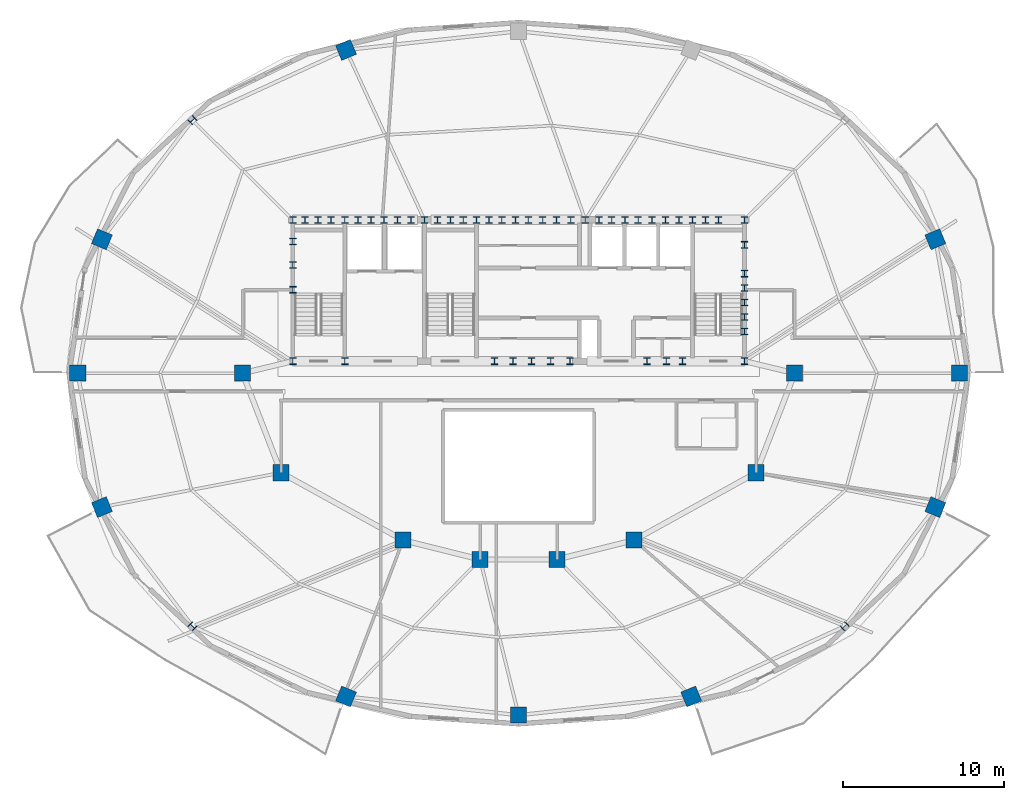
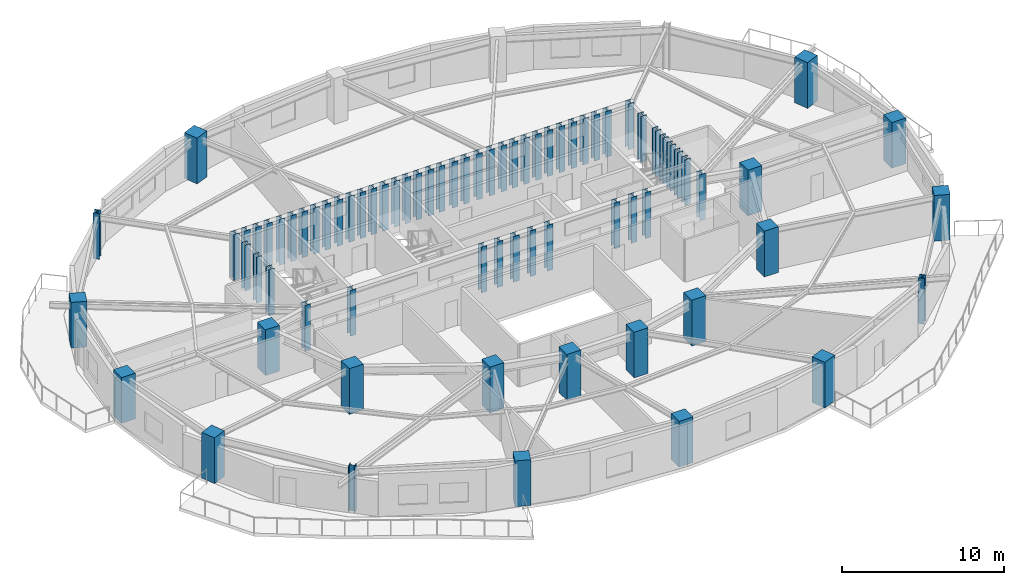
# One storey, part 1 of 11: 75 columns.
"""IFC4 building model written with IfcOpenShell, lengths in metres."""

from ifc_helpers import new_model, si_unit, direction, frame, origin, origin_2d, place, context, subcontext, project, spatial, rectangle, i_section, extrude, material, material_profile, profile_set, type_object, element, save


model = new_model("IFC4")

# Units and contexts
model_context = context("Model", 3, precision=1e-05, world=origin(), true_north=direction((0.0, 1.0)))
body_context = subcontext(model_context, "Body", "Model", "MODEL_VIEW")
ifc_project = project(units=[si_unit("LENGTHUNIT", "METRE"), si_unit("AREAUNIT", "SQUARE_METRE"), si_unit("VOLUMEUNIT", "CUBIC_METRE"), si_unit("PLANEANGLEUNIT", "RADIAN"), si_unit("MASSUNIT", "GRAM", prefix="KILO")], contexts=[model_context])

# Site, building, storey
site_placement = place(None, origin())
site = spatial("IfcSite", under=ifc_project, at=site_placement, CompositionType="ELEMENT")
building_placement = place(site_placement, origin())
building = spatial("IfcBuilding", under=site, at=building_placement, Name="Haldorwick Loom Tower", CompositionType="ELEMENT")
storey_placement = place(building_placement, frame((0.0, 0.0, 234.0)))
storey = spatial("IfcBuildingStorey", under=building, at=storey_placement, Name="L63", CompositionType="ELEMENT", Elevation=234.0)

# Columns
ifc_material_1 = material(Name="Concrete C60 (60 MPa)", Category="concrete")
ifc_material_profile_1 = material_profile(ifc_material_1, rectangle(XDim=1.0, YDim=1.0, at=origin_2d()), Name="RC1000X1000", Category="concrete")
ifc_profile_set_1 = profile_set([ifc_material_profile_1], Name="Concrete C60 (60 MPa)")
column_type_1 = type_object("IfcColumnType", Name="STR-COL-RC1000", PredefinedType="COLUMN", material=ifc_profile_set_1)
for number, where, z_axis, x_axis, name in (
    (1, (53.199951171875, 26.0, 0.0), (0.0, 0.0, 1.0), (1.0, 0.0, 0.0), "L63 Inner Column IC-01"),
    (2, (50.800048828125, 19.800048828125, 0.0), (0.0, 0.0, 1.0), (1.0, 0.0, 0.0), "L63 Inner Column IC-02"),
    (3, (43.199951171875, 15.60009765625, 0.0), (0.0, 0.0, 1.0), (1.0, 0.0, 0.0), "L63 Inner Column IC-03"),
    (4, (38.39990234375, 14.39990234375, 0.0), (0.0, 0.0, 1.0), (1.0, 0.0, 0.0), "L63 Inner Column IC-04"),
    (5, (33.60009765625, 14.39990234375, 0.0), (0.0, 0.0, 1.0), (1.0, 0.0, 0.0), "L63 Inner Column IC-05"),
    (6, (28.800048828125, 15.60009765625, 0.0), (0.0, 0.0, 1.0), (1.0, 0.0, 0.0), "L63 Inner Column IC-06"),
    (7, (21.199951171875, 19.800048828125, 0.0), (0.0, 0.0, 1.0), (1.0, 0.0, 0.0), "L63 Inner Column IC-07"),
    (8, (18.800048828125, 26.0, 0.0), (0.0, 0.0, 1.0), (1.0, 0.0, 0.0), "L63 Inner Column IC-08"),
    (9, (63.46630859375, 26.0, 0.0), (0.0, 0.0, 1.0), (1.0, 0.0, 0.0), "L63 Perimeter Pier Column P01"),
    (10, (61.9609375, 34.342529296875, 0.0), (0.0, 0.0, 1.0), (0.923879532511, 0.382683432365, 0.0), "L63 Perimeter Pier Column P02"),
    (11, (25.24658203125, 46.140625, 0.0), (0.0, 0.0, 1.0), (-0.382683432365, 0.923879532511, 0.0), "L63 Perimeter Pier Column P06"),
    (12, (10.0390625, 34.342529296875, 0.0), (0.0, 0.0, 1.0), (-0.923879532511, 0.382683432365, 0.0), "L63 Perimeter Pier Column P08"),
    (13, (8.53369140625, 26.0, 0.0), (0.0, 0.0, 1.0), (-1.0, 0.0, 0.0), "L63 Perimeter Pier Column P09"),
    (14, (10.0390625, 17.657470703125, 0.0), (0.0, 0.0, 1.0), (-0.923879532511, -0.382683432365, 0.0), "L63 Perimeter Pier Column P10"),
    (15, (25.24658203125, 5.859375, 0.0), (0.0, 0.0, 1.0), (-0.382683432365, -0.923879532511, 0.0), "L63 Perimeter Pier Column P12"),
    (16, (36.0, 4.695068359375, 0.0), (0.0, 0.0, 1.0), (0.0, -1.0, 0.0), "L63 Perimeter Pier Column P13"),
    (17, (46.75341796875, 5.859375, 0.0), (0.0, 0.0, 1.0), (0.382683432365, -0.923879532511, 0.0), "L63 Perimeter Pier Column P14"),
    (18, (61.9609375, 17.657470703125, 0.0), (0.0, 0.0, 1.0), (0.923879532511, -0.382683432365, 0.0), "L63 Perimeter Pier Column P16"),
):
    element("IfcColumn", number, at=place(storey_placement, frame(where, z_axis=z_axis, x_axis=x_axis)), inside=storey, type_object=column_type_1, Name=name, PredefinedType="COLUMN", context=body_context, shape_type="SweptSolid", body=[
        extrude(rectangle(XDim=1.0, YDim=1.0, at=origin_2d()), origin(), (0.0, 0.0, 1.0), 3.449951171875),
    ])
ifc_material_2 = material(Name="Steel CSA G40.21 350W", Category="steel")
ifc_material_profile_2 = material_profile(ifc_material_2, i_section(OverallWidth=0.406005859375, OverallDepth=0.416015625, WebThickness=0.024169921875, FlangeThickness=0.03857421875, at=origin_2d()), Name="W360X382", Category="steel")
ifc_profile_set_2 = profile_set([ifc_material_profile_2], Name="Steel CSA G40.21 350W")
column_type_2 = type_object("IfcColumnType", Name="STR-COL-W360X382", PredefinedType="COLUMN", material=ifc_profile_set_2)
for number, where, z_axis, x_axis, name in (
    (19, (21.929931640625, 35.550048828125, 0.0), (0.0, 0.0, 1.0), (1.0, 0.0, 0.0), "L63 Core Pilaster CB-01"),
    (20, (23.5, 35.550048828125, 0.0), (0.0, 0.0, 1.0), (1.0, 0.0, 0.0), "L63 Core Pilaster CB-02"),
    (21, (25.169921875, 35.550048828125, 0.0), (0.0, 0.0, 1.0), (1.0, 0.0, 0.0), "L63 Core Pilaster CB-03"),
    (22, (26.800048828125, 35.550048828125, 0.0), (0.0, 0.0, 1.0), (1.0, 0.0, 0.0), "L63 Core Pilaster CB-04"),
    (23, (28.449951171875, 35.550048828125, 0.0), (0.0, 0.0, 1.0), (1.0, 0.0, 0.0), "L63 Core Pilaster CB-05"),
    (24, (30.1298828125, 35.550048828125, 0.0), (0.0, 0.0, 1.0), (1.0, 0.0, 0.0), "L63 Core Pilaster CB-06"),
    (25, (31.75, 35.550048828125, 0.0), (0.0, 0.0, 1.0), (1.0, 0.0, 0.0), "L63 Core Pilaster CB-07"),
    (26, (33.3701171875, 35.550048828125, 0.0), (0.0, 0.0, 1.0), (1.0, 0.0, 0.0), "L63 Core Pilaster CB-08"),
    (27, (34.949951171875, 35.550048828125, 0.0), (0.0, 0.0, 1.0), (1.0, 0.0, 0.0), "L63 Core Pilaster CB-09"),
    (28, (36.60009765625, 35.550048828125, 0.0), (0.0, 0.0, 1.0), (1.0, 0.0, 0.0), "L63 Core Pilaster CB-10"),
    (29, (38.35009765625, 35.550048828125, 0.0), (0.0, 0.0, 1.0), (1.0, 0.0, 0.0), "L63 Core Pilaster CB-11"),
    (30, (40.14990234375, 35.550048828125, 0.0), (0.0, 0.0, 1.0), (1.0, 0.0, 0.0), "L63 Core Pilaster CB-12"),
    (31, (41.800048828125, 35.550048828125, 0.0), (0.0, 0.0, 1.0), (1.0, 0.0, 0.0), "L63 Core Pilaster CB-13"),
    (32, (43.449951171875, 35.550048828125, 0.0), (0.0, 0.0, 1.0), (1.0, 0.0, 0.0), "L63 Core Pilaster CB-14"),
    (33, (45.14990234375, 35.550048828125, 0.0), (0.0, 0.0, 1.0), (1.0, 0.0, 0.0), "L63 Core Pilaster CB-15"),
    (34, (46.830078125, 35.550048828125, 0.0), (0.0, 0.0, 1.0), (1.0, 0.0, 0.0), "L63 Core Pilaster CB-16"),
    (35, (48.449951171875, 35.550048828125, 0.0), (0.0, 0.0, 1.0), (1.0, 0.0, 0.0), "L63 Core Pilaster CB-17"),
    (36, (50.070068359375, 35.550048828125, 0.0), (0.0, 0.0, 1.0), (1.0, 0.0, 0.0), "L63 Core Pilaster CB-18"),
    (37, (21.929931640625, 26.75, 0.0), (0.0, 0.0, 1.0), (1.0, 0.0, 0.0), "L63 Core Pilaster CB-19"),
    (38, (25.169921875, 26.75, 0.0), (0.0, 0.0, 1.0), (1.0, 0.0, 0.0), "L63 Core Pilaster CB-20"),
    (39, (34.5, 26.75, 0.0), (0.0, 0.0, 1.0), (1.0, 0.0, 0.0), "L63 Core Pilaster CB-21"),
    (40, (36.800048828125, 26.75, 0.0), (0.0, 0.0, 1.0), (1.0, 0.0, 0.0), "L63 Core Pilaster CB-22"),
    (41, (39.199951171875, 26.75, 0.0), (0.0, 0.0, 1.0), (1.0, 0.0, 0.0), "L63 Core Pilaster CB-23"),
    (42, (45.199951171875, 26.75, 0.0), (0.0, 0.0, 1.0), (1.0, 0.0, 0.0), "L63 Core Pilaster CB-24"),
    (43, (50.070068359375, 26.75, 0.0), (0.0, 0.0, 1.0), (1.0, 0.0, 0.0), "L63 Core Pilaster CB-25"),
    (44, (21.929931640625, 31.199951171875, 0.0), (0.0, 0.0, 1.0), (1.0, 0.0, 0.0), "L63 Core Pilaster CB-26"),
    (45, (21.929931640625, 32.75, 0.0), (0.0, 0.0, 1.0), (1.0, 0.0, 0.0), "L63 Core Pilaster CB-27"),
    (46, (21.929931640625, 34.199951171875, 0.0), (0.0, 0.0, 1.0), (1.0, 0.0, 0.0), "L63 Core Pilaster CB-28"),
    (47, (50.070068359375, 28.60009765625, 0.0), (0.0, 0.0, 1.0), (1.0, 0.0, 0.0), "L63 Core Pilaster CB-29"),
    (48, (50.070068359375, 30.39990234375, 0.0), (0.0, 0.0, 1.0), (1.0, 0.0, 0.0), "L63 Core Pilaster CB-30"),
    (49, (50.070068359375, 32.199951171875, 0.0), (0.0, 0.0, 1.0), (1.0, 0.0, 0.0), "L63 Core Pilaster CB-31"),
    (50, (50.070068359375, 34.0, 0.0), (0.0, 0.0, 1.0), (1.0, 0.0, 0.0), "L63 Core Pilaster CB-32"),
    (51, (22.699951171875, 35.550048828125, 0.0), (0.0, 0.0, 1.0), (1.0, 0.0, 0.0), "L63 Core Pilaster CB-33"),
    (52, (27.6201171875, 35.550048828125, 0.0), (0.0, 0.0, 1.0), (1.0, 0.0, 0.0), "L63 Core Pilaster CB-34"),
    (53, (32.550048828125, 35.550048828125, 0.0), (0.0, 0.0, 1.0), (1.0, 0.0, 0.0), "L63 Core Pilaster CB-35"),
    (54, (37.5, 35.550048828125, 0.0), (0.0, 0.0, 1.0), (1.0, 0.0, 0.0), "L63 Core Pilaster CB-36"),
    (55, (42.6201171875, 35.550048828125, 0.0), (0.0, 0.0, 1.0), (1.0, 0.0, 0.0), "L63 Core Pilaster CB-37"),
    (56, (47.64990234375, 35.550048828125, 0.0), (0.0, 0.0, 1.0), (1.0, 0.0, 0.0), "L63 Core Pilaster CB-38"),
    (57, (24.300048828125, 35.550048828125, 0.0), (0.0, 0.0, 1.0), (1.0, 0.0, 0.0), "L63 Core Pilaster CB-39"),
    (58, (26.0, 35.550048828125, 0.0), (0.0, 0.0, 1.0), (1.0, 0.0, 0.0), "L63 Core Pilaster CB-40"),
    (59, (29.300048828125, 35.550048828125, 0.0), (0.0, 0.0, 1.0), (1.0, 0.0, 0.0), "L63 Core Pilaster CB-41"),
    (60, (30.949951171875, 35.550048828125, 0.0), (0.0, 0.0, 1.0), (1.0, 0.0, 0.0), "L63 Core Pilaster CB-42"),
    (61, (34.14990234375, 35.550048828125, 0.0), (0.0, 0.0, 1.0), (1.0, 0.0, 0.0), "L63 Core Pilaster CB-43"),
    (62, (35.800048828125, 35.550048828125, 0.0), (0.0, 0.0, 1.0), (1.0, 0.0, 0.0), "L63 Core Pilaster CB-44"),
    (63, (39.25, 35.550048828125, 0.0), (0.0, 0.0, 1.0), (1.0, 0.0, 0.0), "L63 Core Pilaster CB-45"),
    (64, (41.0, 35.550048828125, 0.0), (0.0, 0.0, 1.0), (1.0, 0.0, 0.0), "L63 Core Pilaster CB-46"),
    (65, (44.300048828125, 35.550048828125, 0.0), (0.0, 0.0, 1.0), (1.0, 0.0, 0.0), "L63 Core Pilaster CB-47"),
    (66, (46.0, 35.550048828125, 0.0), (0.0, 0.0, 1.0), (1.0, 0.0, 0.0), "L63 Core Pilaster CB-48"),
    (67, (50.070068359375, 29.5, 0.0), (0.0, 0.0, 1.0), (1.0, 0.0, 0.0), "L63 Core Pilaster CB-49"),
    (68, (50.070068359375, 31.300048828125, 0.0), (0.0, 0.0, 1.0), (1.0, 0.0, 0.0), "L63 Core Pilaster CB-50"),
    (69, (35.64990234375, 26.75, 0.0), (0.0, 0.0, 1.0), (1.0, 0.0, 0.0), "L63 Core Pilaster CB-51"),
    (70, (38.0, 26.75, 0.0), (0.0, 0.0, 1.0), (1.0, 0.0, 0.0), "L63 Core Pilaster CB-52"),
    (71, (44.0, 26.75, 0.0), (0.0, 0.0, 1.0), (1.0, 0.0, 0.0), "L63 Core Pilaster CB-53"),
    (72, (46.199951171875, 26.75, 0.0), (0.0, 0.0, 1.0), (1.0, 0.0, 0.0), "L63 Core Pilaster CB-54"),
    (73, (15.682373046875, 41.764892578125, 0.0), (0.0, 0.0, 1.0), (-0.707106781187, 0.707106781187, 0.0), "L63 Perimeter Pier Column P07"),
    (74, (15.682373046875, 10.235107421875, 0.0), (0.0, 0.0, 1.0), (-0.707106781187, -0.707106781187, 0.0), "L63 Perimeter Pier Column P11"),
    (75, (56.317626953125, 10.235107421875, 0.0), (0.0, 0.0, 1.0), (0.707106781187, -0.707106781187, 0.0), "L63 Perimeter Pier Column P15"),
):
    element("IfcColumn", number, at=place(storey_placement, frame(where, z_axis=z_axis, x_axis=x_axis)), inside=storey, type_object=column_type_2, Name=name, PredefinedType="COLUMN", context=body_context, shape_type="SweptSolid", body=[
        extrude(i_section(OverallWidth=0.406005859375, OverallDepth=0.416015625, WebThickness=0.024169921875, FlangeThickness=0.03857421875, at=origin_2d()), origin(), (0.0, 0.0, 1.0), 3.449951171875),
    ])

save(model, "model.ifc")
